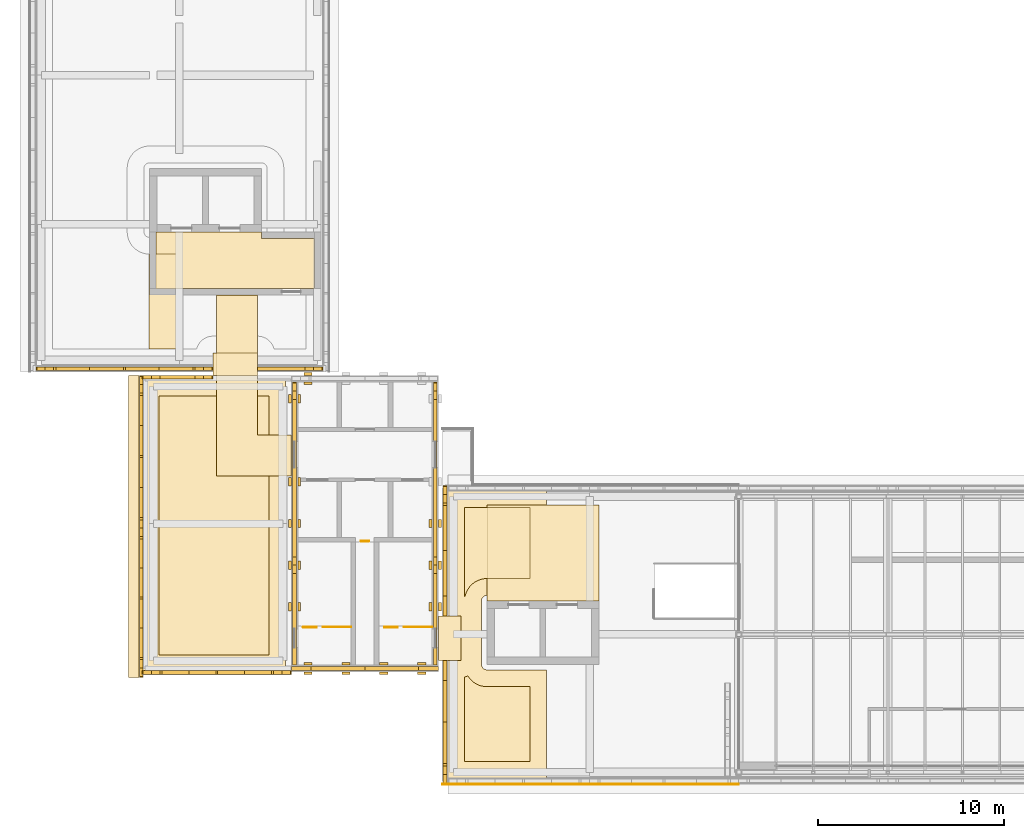
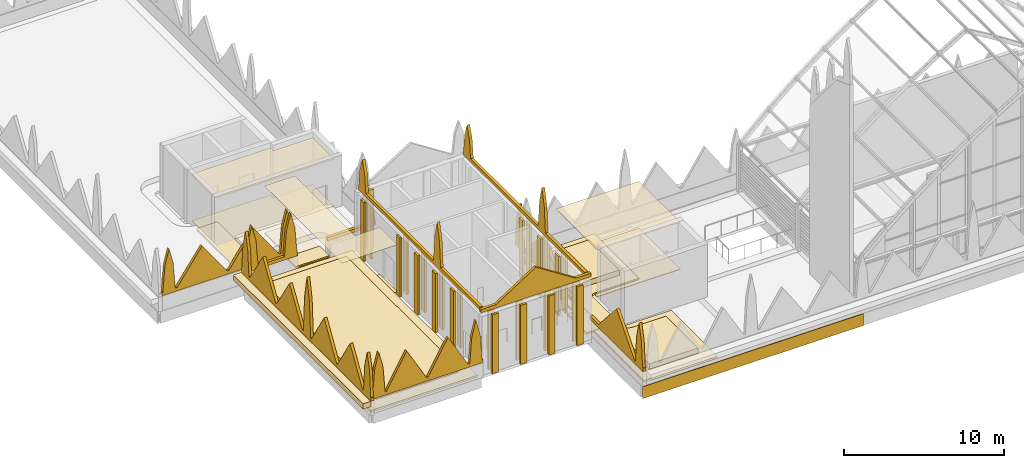
# One storey, part 14 of 18: 52 coverings, 5 railings.
"""IFC4 building model written with IfcOpenShell, lengths in metres."""

from ifc_helpers import new_model, si_unit, direction, frame, frame_2d, origin, origin_2d, place, context, subcontext, project, spatial, polyline, rectangle, circle, outline, extrude, material, layer, layer_set, type_object, element, save


model = new_model("IFC4")

# Units and contexts
model_context = context("Model", 3, precision=1e-05, world=origin(), true_north=direction((0.0, 1.0)))
body_context = subcontext(model_context, "Body", "Model", "MODEL_VIEW")
ifc_project = project(units=[si_unit("LENGTHUNIT", "METRE"), si_unit("AREAUNIT", "SQUARE_METRE"), si_unit("VOLUMEUNIT", "CUBIC_METRE"), si_unit("PLANEANGLEUNIT", "RADIAN"), si_unit("MASSUNIT", "GRAM", prefix="KILO")], contexts=[model_context])

# Site, building, storey
site_placement = place(None, origin())
site = spatial("IfcSite", under=ifc_project, at=site_placement, CompositionType="ELEMENT")
building_placement = place(site_placement, origin())
building = spatial("IfcBuilding", under=site, at=building_placement, Name="Lantern Court Media Centre", CompositionType="ELEMENT")
storey_placement = place(building_placement, frame((0.0, 0.0, 33.60009765625)))
storey = spatial("IfcBuildingStorey", under=building, at=storey_placement, Name="R00", CompositionType="ELEMENT", Elevation=33.60009765625)

# Railings
ifc_material_1 = material(Name="Powder-coated steel", Category="steel")
railing_type_1 = type_object("IfcRailingType", Name="Floor edge guard 1100", PredefinedType="GUARDRAIL", material=ifc_material_1)
railing_1_placement = place(storey_placement, frame((17.353759765625, 50.390380859375, 0.0)))
element("IfcRailing", 1, at=railing_1_placement, inside=storey, type_object=railing_type_1, Name="R00 opening guard 168", PredefinedType="GUARDRAIL", context=body_context, shape_type="SweptSolid", body=[
    extrude(circle(Radius=0.02392578125, at=origin_2d()), frame((0.0, 0.0, 1.076171875), z_axis=(-1.0, 0.0, 0.0), x_axis=(0.0, -1.0, 0.0)), (0.0, 0.0, 1.0), 0.703857421875),
    extrude(circle(Radius=0.02099609375, at=origin_2d()), origin(), (0.0, 0.0, 1.0), 1.052001953125),
    extrude(circle(Radius=0.02099609375, at=origin_2d()), frame((-0.703857421875, 0.0, 0.0)), (0.0, 0.0, 1.0), 1.052001953125),
])
railing_2_placement = place(storey_placement, frame((21.70361328125, 50.390380859375, 0.0)))
element("IfcRailing", 2, at=railing_2_placement, inside=storey, type_object=railing_type_1, Name="R00 opening guard 169", PredefinedType="GUARDRAIL", context=body_context, shape_type="SweptSolid", body=[
    extrude(circle(Radius=0.02392578125, at=origin_2d()), frame((0.0, 0.0, 1.076171875), z_axis=(-1.0, 0.0, 0.0), x_axis=(0.0, -1.0, 0.0)), (0.0, 0.0, 1.0), 0.70361328125),
    extrude(circle(Radius=0.02099609375, at=origin_2d()), origin(), (0.0, 0.0, 1.0), 1.052001953125),
    extrude(circle(Radius=0.02099609375, at=origin_2d()), frame((-0.70361328125, 0.0, 0.0)), (0.0, 0.0, 1.0), 1.052001953125),
])
railing_3_placement = place(storey_placement, frame((20.14990234375, 55.010009765625, 0.0)))
element("IfcRailing", 3, at=railing_3_placement, inside=storey, type_object=railing_type_1, Name="R00 opening guard 170", PredefinedType="GUARDRAIL", context=body_context, shape_type="SweptSolid", body=[
    extrude(circle(Radius=0.02392578125, at=origin_2d()), frame((0.0, 0.0, 1.076171875), z_axis=(-1.0, 0.0, 0.0), x_axis=(0.0, -1.0, 0.0)), (0.0, 0.0, 1.0), 0.39990234375),
    extrude(circle(Radius=0.02099609375, at=origin_2d()), origin(), (0.0, 0.0, 1.0), 1.052001953125),
    extrude(circle(Radius=0.02099609375, at=origin_2d()), frame((-0.39990234375, 0.0, 0.0)), (0.0, 0.0, 1.0), 1.052001953125),
])

# Coverings
ifc_material_2 = material(Name="White glass-fibre reinforced cement cladding", Category="concrete")
ifc_layer_1 = layer(ifc_material_2, 0.050048828125)
ifc_layer_set_1 = layer_set([ifc_layer_1], Name="White glass-fibre reinforced cement cladding")
covering_type_1 = type_object("IfcCoveringType", Name="Floor-edge band 50", PredefinedType="CLADDING", material=ifc_layer_set_1)
covering_1_placement = place(storey_placement, frame((24.10009765625, 41.97509765625, -0.900146484375), z_axis=(0.0, 0.0, 1.0), x_axis=(1.0, 0.0, 0.0)))
element("IfcCovering", 4, at=covering_1_placement, inside=storey, type_object=covering_type_1, Name="Floor-edge band S outer roof", PredefinedType="CLADDING", context=body_context, shape_type="SweptSolid", body=[
    extrude(rectangle(XDim=15.89990234375, YDim=0.050048828125, at=frame_2d((7.949951171875, 0.0))), origin(), (0.0, 0.0, 1.0), 0.900146484375),
])
ifc_material_3 = material(Name="Honed limestone cladding on blockwork", Category="masonry")
ifc_layer_2 = layer(ifc_material_3, 0.550048828125)
ifc_layer_set_2 = layer_set([ifc_layer_2], Name="Honed limestone cladding on blockwork")
covering_type_2 = type_object("IfcCoveringType", Name="Limestone cornice 550", PredefinedType="CLADDING", material=ifc_layer_set_2)
covering_2_placement = place(storey_placement, frame((7.554931640625, 47.699951171875, 0.699951171875), z_axis=(0.0, 0.0, 1.0), x_axis=(0.0, 1.0, 0.0)))
element("IfcCovering", 5, at=covering_2_placement, inside=storey, type_object=covering_type_2, Name="Attic cornice", PredefinedType="CLADDING", context=body_context, shape_type="SweptSolid", body=[
    extrude(rectangle(XDim=16.199951171875, YDim=0.550048828125, at=frame_2d((8.10009765625, 0.0))), origin(), (0.0, 0.0, 1.0), 0.39990234375),
])
ifc_layer_3 = layer(ifc_material_3, 0.199951171875)
ifc_layer_set_3 = layer_set([ifc_layer_3], Name="Honed limestone cladding on blockwork")
covering_type_3 = type_object("IfcCoveringType", Name="Limestone cresting 200", PredefinedType="CLADDING", material=ifc_layer_set_3)
covering_3_placement = place(storey_placement, frame((7.955078125, 47.699951171875, 1.099853515625), z_axis=(0.0, 0.0, 1.0), x_axis=(0.0, 1.0, 0.0)))
element("IfcCovering", 6, at=covering_3_placement, inside=storey, type_object=covering_type_3, Name="Parapet cresting", PredefinedType="CLADDING", context=body_context, shape_type="SweptSolid", body=[
    extrude(outline(polyline([(0.0, 0.0), (16.199951171875, 0.0), (16.199951171875, 0.25), (16.14990234375, 0.25), (16.0, 2.2099609375), (15.699951171875, 3.400146484375), (15.39990234375, 2.2099609375), (15.25, 0.25), (15.1298828125, 0.25), (13.514892578125, 2.800048828125), (11.89990234375, 0.25), (11.800048828125, 0.25), (10.18505859375, 2.800048828125), (8.570068359375, 0.25), (8.449951171875, 0.25), (8.300048828125, 2.983642578125), (8.0, 4.590087890625), (7.699951171875, 2.983642578125), (7.550048828125, 0.25), (7.429931640625, 0.25), (5.864990234375, 2.800048828125), (4.300048828125, 0.25), (4.199951171875, 0.25), (2.635009765625, 2.800048828125), (1.070068359375, 0.25), (0.949951171875, 0.25), (0.800048828125, 2.2099609375), (0.5, 3.400146484375), (0.199951171875, 2.2099609375), (0.050048828125, 0.25), (0.0, 0.25), (0.0, 0.0)])), frame((0.0, 0.10009765625, 0.0), z_axis=(0.0, -1.0, 0.0), x_axis=(1.0, 0.0, 0.0)), (0.0, 0.0, 1.0), 0.199951171875),
])
covering_4_placement = place(storey_placement, frame((8.0, 47.955078125, 1.099853515625), z_axis=(0.0, 0.0, 1.0), x_axis=(1.0, 0.0, 0.0)))
element("IfcCovering", 7, at=covering_4_placement, inside=storey, type_object=covering_type_3, Name="Parapet cresting", PredefinedType="CLADDING", context=body_context, shape_type="SweptSolid", body=[
    extrude(outline(polyline([(0.0, 0.0), (8.0, 0.0), (8.0, 0.25), (7.949951171875, 0.25), (7.800048828125, 2.2099609375), (7.5, 3.400146484375), (7.199951171875, 2.2099609375), (7.050048828125, 0.25), (6.929931640625, 0.25), (5.489990234375, 2.800048828125), (4.050048828125, 0.25), (3.949951171875, 0.25), (2.510009765625, 2.800048828125), (1.070068359375, 0.25), (0.949951171875, 0.25), (0.800048828125, 2.2099609375), (0.5, 3.400146484375), (0.199951171875, 2.2099609375), (0.050048828125, 0.25), (0.0, 0.25), (0.0, 0.0)])), frame((0.0, 0.10009765625, 0.0), z_axis=(0.0, -1.0, 0.0), x_axis=(1.0, 0.0, 0.0)), (0.0, 0.0, 1.0), 0.199951171875),
])
covering_5_placement = place(storey_placement, frame((24.25, 42.0, 1.099853515625), z_axis=(0.0, 0.0, 1.0), x_axis=(0.0, 1.0, 0.0)))
element("IfcCovering", 8, at=covering_5_placement, inside=storey, type_object=covering_type_3, Name="Parapet cresting", PredefinedType="CLADDING", context=body_context, shape_type="SweptSolid", body=[
    extrude(outline(polyline([(0.0, 0.0), (6.60009765625, 0.0), (6.60009765625, 0.25), (5.530029296875, 0.25), (3.300048828125, 2.800048828125), (1.070068359375, 0.25), (0.949951171875, 0.25), (0.800048828125, 2.2099609375), (0.5, 3.400146484375), (0.199951171875, 2.2099609375), (0.050048828125, 0.25), (0.0, 0.25), (0.0, 0.0)])), frame((0.0, 0.10009765625, 0.0), z_axis=(0.0, -1.0, 0.0), x_axis=(1.0, 0.0, 0.0)), (0.0, 0.0, 1.0), 0.199951171875),
])
covering_6_placement = place(storey_placement, frame((24.25, 51.0, 1.099853515625), z_axis=(0.0, 0.0, 1.0), x_axis=(0.0, 1.0, 0.0)))
element("IfcCovering", 9, at=covering_6_placement, inside=storey, type_object=covering_type_3, Name="Parapet cresting", PredefinedType="CLADDING", context=body_context, shape_type="SweptSolid", body=[
    extrude(outline(polyline([(0.0, 0.0), (7.0, 0.0), (7.0, 0.25), (6.949951171875, 0.25), (6.800048828125, 2.2099609375), (6.5, 3.400146484375), (6.199951171875, 2.2099609375), (6.050048828125, 0.25), (5.929931640625, 0.25), (3.5, 2.800048828125), (1.070068359375, 0.25), (0.0, 0.25), (0.0, 0.0)])), frame((0.0, 0.10009765625, 0.0), z_axis=(0.0, -1.0, 0.0), x_axis=(1.0, 0.0, 0.0)), (0.0, 0.0, 1.0), 0.199951171875),
])
covering_7_placement = place(storey_placement, frame((2.300048828125, 64.25, 1.099853515625), z_axis=(0.0, 0.0, 1.0), x_axis=(1.0, 0.0, 0.0)))
element("IfcCovering", 10, at=covering_7_placement, inside=storey, type_object=covering_type_3, Name="Parapet cresting", PredefinedType="CLADDING", context=body_context, shape_type="SweptSolid", body=[
    extrude(outline(polyline([(0.0, 0.0), (9.5, 0.0), (9.5, 0.25), (9.449951171875, 0.25), (9.300048828125, 2.2099609375), (9.0, 3.400146484375), (8.699951171875, 2.2099609375), (8.550048828125, 0.25), (8.429931640625, 0.25), (6.614990234375, 2.800048828125), (4.800048828125, 0.25), (4.699951171875, 0.25), (2.885009765625, 2.800048828125), (1.070068359375, 0.25), (0.949951171875, 0.25), (0.800048828125, 2.2099609375), (0.5, 3.400146484375), (0.199951171875, 2.2099609375), (0.050048828125, 0.25), (0.0, 0.25), (0.0, 0.0)])), frame((0.0, 0.10009765625, 0.0), z_axis=(0.0, -1.0, 0.0), x_axis=(1.0, 0.0, 0.0)), (0.0, 0.0, 1.0), 0.199951171875),
])
covering_8_placement = place(storey_placement, frame((14.199951171875, 64.25, 1.099853515625), z_axis=(0.0, 0.0, 1.0), x_axis=(1.0, 0.0, 0.0)))
element("IfcCovering", 11, at=covering_8_placement, inside=storey, type_object=covering_type_3, Name="Parapet cresting", PredefinedType="CLADDING", context=body_context, shape_type="SweptSolid", body=[
    extrude(outline(polyline([(0.0, 0.0), (3.5, 0.0), (3.5, 0.25), (3.449951171875, 0.25), (3.300048828125, 2.2099609375), (3.0, 3.400146484375), (2.699951171875, 2.2099609375), (2.550048828125, 0.25), (0.0, 0.25), (0.0, 0.0)])), frame((0.0, 0.10009765625, 0.0), z_axis=(0.0, -1.0, 0.0), x_axis=(1.0, 0.0, 0.0)), (0.0, 0.0, 1.0), 0.199951171875),
])
covering_9_placement = place(storey_placement, frame((8.0, 63.800048828125, 1.099853515625), z_axis=(0.0, 0.0, 1.0), x_axis=(1.0, 0.0, 0.0)))
element("IfcCovering", 12, at=covering_9_placement, inside=storey, type_object=covering_type_3, Name="Parapet cresting", PredefinedType="CLADDING", context=body_context, shape_type="SweptSolid", body=[
    extrude(outline(polyline([(0.0, 0.0), (3.800048828125, 0.0), (3.800048828125, 0.25), (3.75, 0.25), (3.60009765625, 2.2099609375), (3.300048828125, 3.400146484375), (3.0, 2.2099609375), (2.85009765625, 0.25), (0.949951171875, 0.25), (0.800048828125, 2.2099609375), (0.5, 3.400146484375), (0.199951171875, 2.2099609375), (0.050048828125, 0.25), (0.0, 0.25), (0.0, 0.0)])), frame((0.0, 0.10009765625, 0.0), z_axis=(0.0, -1.0, 0.0), x_axis=(1.0, 0.0, 0.0)), (0.0, 0.0, 1.0), 0.199951171875),
])
covering_10_placement = place(storey_placement, frame((16.0, 48.175048828125, 4.75), z_axis=(0.0, 0.0, 1.0), x_axis=(1.0, 0.0, 0.0)))
element("IfcCovering", 13, at=covering_10_placement, inside=storey, type_object=covering_type_3, Name="Roof box cresting", PredefinedType="CLADDING", context=body_context, shape_type="SweptSolid", body=[
    extrude(outline(polyline([(0.0, 0.0), (7.89990234375, 0.0), (7.89990234375, 0.25), (6.830078125, 0.25), (3.949951171875, 2.099853515625), (1.070068359375, 0.25), (0.0, 0.25), (0.0, 0.0)])), frame((0.0, 0.10009765625, 0.0), z_axis=(0.0, -1.0, 0.0), x_axis=(1.0, 0.0, 0.0)), (0.0, 0.0, 1.0), 0.199951171875),
])
for number, where, z_axis, x_axis, name in (
    (14, (16.175048828125, 48.35009765625, 4.75), (0.0, 0.0, 1.0), (0.0, 1.0, 0.0), "Roof box cresting"),
    (15, (23.72509765625, 48.35009765625, 4.75), (0.0, 0.0, 1.0), (0.0, 1.0, 0.0), "Roof box cresting"),
):
    element("IfcCovering", number, at=place(storey_placement, frame(where, z_axis=z_axis, x_axis=x_axis)), inside=storey, type_object=covering_type_3, Name=name, PredefinedType="CLADDING", context=body_context, shape_type="SweptSolid", body=[
        extrude(outline(polyline([(0.0, 0.0), (15.199951171875, 0.0), (15.199951171875, 0.25), (15.14990234375, 0.25), (15.0, 1.657470703125), (14.699951171875, 2.5498046875), (14.39990234375, 1.657470703125), (14.25, 0.25), (5.816650390625, 0.25), (5.666748046875, 2.237548828125), (5.36669921875, 3.4423828125), (5.066650390625, 2.237548828125), (4.916748046875, 0.25), (0.0, 0.25), (0.0, 0.0)])), frame((0.0, 0.10009765625, 0.0), z_axis=(0.0, -1.0, 0.0), x_axis=(1.0, 0.0, 0.0)), (0.0, 0.0, 1.0), 0.199951171875),
    ])
ifc_material_4 = material(Name="Honed limestone cladding", Category="masonry")
ifc_layer_4 = layer(ifc_material_4, 0.14990234375)
ifc_layer_set_4 = layer_set([ifc_layer_4], Name="Honed limestone cladding")
covering_type_4 = type_object("IfcCoveringType", Name="Limestone pilaster cladding 150", PredefinedType="CLADDING", material=ifc_layer_set_4)
covering_11_placement = place(storey_placement, frame((16.675048828125, 48.425048828125, 0.0), z_axis=(0.0, 0.0, 1.0), x_axis=(1.0, 0.0, 0.0)))
element("IfcCovering", 16, at=covering_11_placement, inside=storey, type_object=covering_type_4, Name="Limestone pilaster rib", PredefinedType="CLADDING", context=body_context, shape_type="SweptSolid", body=[
    extrude(rectangle(XDim=0.449951171875, YDim=0.14990234375, at=frame_2d((0.22509765625, 0.0))), origin(), (0.0, 0.0, 1.0), 4.5),
])
covering_12_placement = place(storey_placement, frame((18.708251953125, 48.425048828125, 0.0), z_axis=(0.0, 0.0, 1.0), x_axis=(1.0, 0.0, 0.0)))
element("IfcCovering", 17, at=covering_12_placement, inside=storey, type_object=covering_type_4, Name="Limestone pilaster rib", PredefinedType="CLADDING", context=body_context, shape_type="SweptSolid", body=[
    extrude(rectangle(XDim=0.4501953125, YDim=0.14990234375, at=frame_2d((0.22509765625, 0.0))), origin(), (0.0, 0.0, 1.0), 4.5),
])
covering_13_placement = place(storey_placement, frame((20.74169921875, 48.425048828125, 0.0), z_axis=(0.0, 0.0, 1.0), x_axis=(1.0, 0.0, 0.0)))
element("IfcCovering", 18, at=covering_13_placement, inside=storey, type_object=covering_type_4, Name="Limestone pilaster rib", PredefinedType="CLADDING", context=body_context, shape_type="SweptSolid", body=[
    extrude(rectangle(XDim=0.449951171875, YDim=0.14990234375, at=frame_2d((0.22509765625, 0.0))), origin(), (0.0, 0.0, 1.0), 4.5),
])
covering_14_placement = place(storey_placement, frame((22.77490234375, 48.425048828125, 0.0), z_axis=(0.0, 0.0, 1.0), x_axis=(1.0, 0.0, 0.0)))
element("IfcCovering", 19, at=covering_14_placement, inside=storey, type_object=covering_type_4, Name="Limestone pilaster rib", PredefinedType="CLADDING", context=body_context, shape_type="SweptSolid", body=[
    extrude(rectangle(XDim=0.4501953125, YDim=0.14990234375, at=frame_2d((0.22509765625, 0.0))), origin(), (0.0, 0.0, 1.0), 4.5),
])
covering_15_placement = place(storey_placement, frame((16.675048828125, 47.925048828125, 0.0), z_axis=(0.0, 0.0, 1.0), x_axis=(1.0, 0.0, 0.0)))
element("IfcCovering", 20, at=covering_15_placement, inside=storey, type_object=covering_type_4, Name="Limestone pilaster rib", PredefinedType="CLADDING", context=body_context, shape_type="SweptSolid", body=[
    extrude(rectangle(XDim=0.449951171875, YDim=0.14990234375, at=frame_2d((0.22509765625, 0.0))), origin(), (0.0, 0.0, 1.0), 4.5),
])
covering_16_placement = place(storey_placement, frame((18.708251953125, 47.925048828125, 0.0), z_axis=(0.0, 0.0, 1.0), x_axis=(1.0, 0.0, 0.0)))
element("IfcCovering", 21, at=covering_16_placement, inside=storey, type_object=covering_type_4, Name="Limestone pilaster rib", PredefinedType="CLADDING", context=body_context, shape_type="SweptSolid", body=[
    extrude(rectangle(XDim=0.4501953125, YDim=0.14990234375, at=frame_2d((0.22509765625, 0.0))), origin(), (0.0, 0.0, 1.0), 4.5),
])
covering_17_placement = place(storey_placement, frame((20.74169921875, 47.925048828125, 0.0), z_axis=(0.0, 0.0, 1.0), x_axis=(1.0, 0.0, 0.0)))
element("IfcCovering", 22, at=covering_17_placement, inside=storey, type_object=covering_type_4, Name="Limestone pilaster rib", PredefinedType="CLADDING", context=body_context, shape_type="SweptSolid", body=[
    extrude(rectangle(XDim=0.449951171875, YDim=0.14990234375, at=frame_2d((0.22509765625, 0.0))), origin(), (0.0, 0.0, 1.0), 4.5),
])
covering_18_placement = place(storey_placement, frame((22.77490234375, 47.925048828125, 0.0), z_axis=(0.0, 0.0, 1.0), x_axis=(1.0, 0.0, 0.0)))
element("IfcCovering", 23, at=covering_18_placement, inside=storey, type_object=covering_type_4, Name="Limestone pilaster rib", PredefinedType="CLADDING", context=body_context, shape_type="SweptSolid", body=[
    extrude(rectangle(XDim=0.4501953125, YDim=0.14990234375, at=frame_2d((0.22509765625, 0.0))), origin(), (0.0, 0.0, 1.0), 4.5),
])
for number, where, z_axis, x_axis, name in (
    (24, (15.925048828125, 51.25830078125, 0.0), (0.0, 0.0, 1.0), (0.0, 1.0, 0.0), "Limestone pilaster rib"),
    (25, (15.925048828125, 53.49169921875, 0.0), (0.0, 0.0, 1.0), (0.0, 1.0, 0.0), "Limestone pilaster rib"),
    (26, (15.925048828125, 55.72509765625, 0.0), (0.0, 0.0, 1.0), (0.0, 1.0, 0.0), "Limestone pilaster rib"),
):
    element("IfcCovering", number, at=place(storey_placement, frame(where, z_axis=z_axis, x_axis=x_axis)), inside=storey, type_object=covering_type_4, Name=name, PredefinedType="CLADDING", context=body_context, shape_type="SweptSolid", body=[
        extrude(rectangle(XDim=0.449951171875, YDim=0.14990234375, at=frame_2d((0.22509765625, 0.0))), origin(), (0.0, 0.0, 1.0), 4.5),
    ])
covering_19_placement = place(storey_placement, frame((15.925048828125, 57.958251953125, 0.0), z_axis=(0.0, 0.0, 1.0), x_axis=(0.0, 1.0, 0.0)))
element("IfcCovering", 27, at=covering_19_placement, inside=storey, type_object=covering_type_4, Name="Limestone pilaster rib", PredefinedType="CLADDING", context=body_context, shape_type="SweptSolid", body=[
    extrude(rectangle(XDim=0.4501953125, YDim=0.14990234375, at=frame_2d((0.22509765625, 0.0))), origin(), (0.0, 0.0, 1.0), 4.5),
])
for number, where, z_axis, x_axis, name in (
    (28, (15.925048828125, 62.425048828125, 0.0), (0.0, 0.0, 1.0), (0.0, 1.0, 0.0), "Limestone pilaster rib"),
    (29, (16.425048828125, 51.25830078125, 0.0), (0.0, 0.0, 1.0), (0.0, 1.0, 0.0), "Limestone pilaster rib"),
    (30, (16.425048828125, 53.49169921875, 0.0), (0.0, 0.0, 1.0), (0.0, 1.0, 0.0), "Limestone pilaster rib"),
    (31, (16.425048828125, 55.72509765625, 0.0), (0.0, 0.0, 1.0), (0.0, 1.0, 0.0), "Limestone pilaster rib"),
):
    element("IfcCovering", number, at=place(storey_placement, frame(where, z_axis=z_axis, x_axis=x_axis)), inside=storey, type_object=covering_type_4, Name=name, PredefinedType="CLADDING", context=body_context, shape_type="SweptSolid", body=[
        extrude(rectangle(XDim=0.449951171875, YDim=0.14990234375, at=frame_2d((0.22509765625, 0.0))), origin(), (0.0, 0.0, 1.0), 4.5),
    ])
covering_20_placement = place(storey_placement, frame((16.425048828125, 57.958251953125, 0.0), z_axis=(0.0, 0.0, 1.0), x_axis=(0.0, 1.0, 0.0)))
element("IfcCovering", 32, at=covering_20_placement, inside=storey, type_object=covering_type_4, Name="Limestone pilaster rib", PredefinedType="CLADDING", context=body_context, shape_type="SweptSolid", body=[
    extrude(rectangle(XDim=0.4501953125, YDim=0.14990234375, at=frame_2d((0.22509765625, 0.0))), origin(), (0.0, 0.0, 1.0), 4.5),
])
for number, where, z_axis, x_axis, name in (
    (33, (16.425048828125, 62.425048828125, 0.0), (0.0, 0.0, 1.0), (0.0, 1.0, 0.0), "Limestone pilaster rib"),
    (34, (23.47509765625, 51.25830078125, 0.0), (0.0, 0.0, 1.0), (0.0, 1.0, 0.0), "Limestone pilaster rib"),
    (35, (23.47509765625, 53.49169921875, 0.0), (0.0, 0.0, 1.0), (0.0, 1.0, 0.0), "Limestone pilaster rib"),
    (36, (23.47509765625, 55.72509765625, 0.0), (0.0, 0.0, 1.0), (0.0, 1.0, 0.0), "Limestone pilaster rib"),
    (37, (23.97509765625, 51.25830078125, 0.0), (0.0, 0.0, 1.0), (0.0, 1.0, 0.0), "Limestone pilaster rib"),
    (38, (23.97509765625, 53.49169921875, 0.0), (0.0, 0.0, 1.0), (0.0, 1.0, 0.0), "Limestone pilaster rib"),
    (39, (23.97509765625, 55.72509765625, 0.0), (0.0, 0.0, 1.0), (0.0, 1.0, 0.0), "Limestone pilaster rib"),
    (40, (16.675048828125, 63.97509765625, 0.0), (0.0, 0.0, 1.0), (1.0, 0.0, 0.0), "Limestone pilaster rib"),
    (41, (16.675048828125, 63.47509765625, 0.0), (0.0, 0.0, 1.0), (1.0, 0.0, 0.0), "Limestone pilaster rib"),
):
    element("IfcCovering", number, at=place(storey_placement, frame(where, z_axis=z_axis, x_axis=x_axis)), inside=storey, type_object=covering_type_4, Name=name, PredefinedType="CLADDING", context=body_context, shape_type="SweptSolid", body=[
        extrude(rectangle(XDim=0.449951171875, YDim=0.14990234375, at=frame_2d((0.22509765625, 0.0))), origin(), (0.0, 0.0, 1.0), 4.5),
    ])
ifc_material_5 = material(Name="Planting substrate")
ifc_layer_5 = layer(ifc_material_5, 0.39990234375)
ifc_layer_set_5 = layer_set([ifc_layer_5], Name="Planting substrate")
covering_type_5 = type_object("IfcCoveringType", Name="Planted roof garden build-up 400", PredefinedType="ROOFING", material=ifc_layer_set_5)
covering_21_placement = place(storey_placement, frame((0.0, 0.0, 0.14990234375)))
element("IfcCovering", 42, at=covering_21_placement, inside=storey, type_object=covering_type_5, Name="Planted roof garden S", PredefinedType="ROOFING", context=body_context, shape_type="SweptSolid", body=[
    extrude(outline(polyline([(25.470947265625, 47.781005859375), (25.528076171875, 47.697021484375), (25.544921875, 47.674072265625), (25.60107421875, 47.60498046875), (25.62109375, 47.5830078125), (25.68310546875, 47.52099609375), (25.705078125, 47.5009765625), (25.77392578125, 47.445068359375), (25.797119140625, 47.427978515625), (25.87109375, 47.37890625), (25.89599609375, 47.363037109375), (25.97412109375, 47.322021484375), (26.0, 47.30908203125), (26.08203125, 47.27490234375), (26.110107421875, 47.26611328125), (26.194091796875, 47.239990234375), (26.222900390625, 47.23291015625), (26.30908203125, 47.216064453125), (26.339111328125, 47.2109375), (26.426025390625, 47.202880859375), (26.4560546875, 47.200927734375), (26.5, 47.199951171875), (28.800048828125, 47.199951171875), (28.800048828125, 43.199951171875), (25.300048828125, 43.199951171875), (25.300048828125, 47.722900390625), (25.361083984375, 47.739013671875), (25.444091796875, 47.76904296875), (25.470947265625, 47.781005859375)])), origin(), (0.0, 0.0, 1.0), 0.39990234375),
])
covering_22_placement = place(storey_placement, frame((0.0, 0.0, 0.14990234375)))
element("IfcCovering", 43, at=covering_22_placement, inside=storey, type_object=covering_type_5, Name="Planted roof garden S", PredefinedType="ROOFING", context=body_context, shape_type="SweptSolid", body=[
    extrude(outline(polyline([(28.800048828125, 56.800048828125), (28.800048828125, 53.0), (26.5, 53.0), (26.4560546875, 52.9990234375), (26.426025390625, 52.9970703125), (26.339111328125, 52.989013671875), (26.30908203125, 52.98388671875), (26.222900390625, 52.967041015625), (26.194091796875, 52.9599609375), (26.110107421875, 52.93408203125), (26.08203125, 52.925048828125), (26.0, 52.89111328125), (25.97412109375, 52.8779296875), (25.89599609375, 52.8369140625), (25.87109375, 52.821044921875), (25.797119140625, 52.77197265625), (25.77392578125, 52.7548828125), (25.705078125, 52.698974609375), (25.68310546875, 52.678955078125), (25.62109375, 52.616943359375), (25.60107421875, 52.594970703125), (25.544921875, 52.52587890625), (25.528076171875, 52.5029296875), (25.47900390625, 52.428955078125), (25.462890625, 52.404052734375), (25.422119140625, 52.325927734375), (25.408935546875, 52.300048828125), (25.375, 52.218017578125), (25.365966796875, 52.18994140625), (25.31591796875, 52.027099609375), (25.300048828125, 52.029052734375), (25.300048828125, 56.800048828125), (28.800048828125, 56.800048828125)])), origin(), (0.0, 0.0, 1.0), 0.39990234375),
])
covering_23_placement = place(storey_placement, frame((0.0, 0.0, 0.14990234375)))
element("IfcCovering", 44, at=covering_23_placement, inside=storey, type_object=covering_type_5, Name="Planted roof garden SW", PredefinedType="ROOFING", context=body_context, shape_type="SweptSolid", body=[
    extrude(outline(polyline([(14.800048828125, 62.800048828125), (14.800048828125, 48.89990234375), (8.89990234375, 48.89990234375), (8.89990234375, 62.800048828125), (14.800048828125, 62.800048828125)])), origin(), (0.0, 0.0, 1.0), 0.39990234375),
])
ifc_material_6 = material(Name="Limestone paving slab", Category="masonry")
ifc_layer_6 = layer(ifc_material_6, 0.14990234375)
ifc_layer_set_6 = layer_set([ifc_layer_6], Name="Limestone paving slab")
covering_type_6 = type_object("IfcCoveringType", Name="Roof walkway pavers 150", PredefinedType="FLOORING", material=ifc_layer_set_6)
covering_24_placement = place(storey_placement, origin())
element("IfcCovering", 45, at=covering_24_placement, inside=storey, type_object=covering_type_6, Name="Roof walkway S-SW", PredefinedType="FLOORING", context=body_context, shape_type="SweptSolid", body=[
    extrude(outline(polyline([(23.89990234375, 48.60009765625), (23.89990234375, 51.0), (25.10009765625, 51.0), (25.10009765625, 48.60009765625), (23.89990234375, 48.60009765625)])), origin(), (0.0, 0.0, 1.0), 0.14990234375),
])
covering_25_placement = place(storey_placement, frame((0.0, 0.0, 0.14990234375)))
element("IfcCovering", 46, at=covering_25_placement, inside=storey, type_object=covering_type_6, Name="Roof garden path W", PredefinedType="FLOORING", context=body_context, shape_type="SweptSolid", body=[
    extrude(outline(polyline([(8.39990234375, 70.39990234375), (9.87890625, 70.39990234375), (9.87890625, 65.300048828125), (8.37890625, 65.300048828125), (8.37890625, 70.40087890625), (8.39990234375, 70.39990234375)])), origin(), (0.0, 0.0, 1.0), 0.14990234375),
])
covering_26_placement = place(storey_placement, origin())
element("IfcCovering", 47, at=covering_26_placement, inside=storey, type_object=covering_type_6, Name="Roof walkway W-SW", PredefinedType="FLOORING", context=body_context, shape_type="SweptSolid", body=[
    extrude(outline(polyline([(11.800048828125, 63.89990234375), (11.800048828125, 65.10009765625), (14.199951171875, 65.10009765625), (14.199951171875, 63.89990234375), (11.800048828125, 63.89990234375)])), origin(), (0.0, 0.0, 1.0), 0.14990234375),
])
ifc_material_7 = material(Name="Bituminous waterproofing membrane with insulation")
ifc_layer_7 = layer(ifc_material_7, 0.14990234375)
ifc_layer_set_7 = layer_set([ifc_layer_7], Name="Bituminous waterproofing membrane with insulation")
covering_type_7 = type_object("IfcCoveringType", Name="Roof waterproofing and insulation 150", PredefinedType="ROOFING", material=ifc_layer_set_7)
covering_27_placement = place(storey_placement, origin())
element("IfcCovering", 48, at=covering_27_placement, inside=storey, type_object=covering_type_7, Name="Roof waterproofing S", PredefinedType="ROOFING", context=body_context, shape_type="SweptSolid", body=[
    extrude(outline(polyline([(25.10009765625, 51.0), (24.39990234375, 51.0), (24.39990234375, 57.699951171875), (29.699951171875, 57.699951171875), (29.699951171875, 52.10009765625), (26.5, 52.10009765625), (26.470947265625, 52.09912109375), (26.44091796875, 52.093994140625), (26.4130859375, 52.0869140625), (26.385009765625, 52.076904296875), (26.35888671875, 52.06494140625), (26.3330078125, 52.049072265625), (26.31005859375, 52.031982421875), (26.2880859375, 52.011962890625), (26.26806640625, 51.989990234375), (26.2509765625, 51.967041015625), (26.235107421875, 51.94091796875), (26.222900390625, 51.9150390625), (26.212890625, 51.886962890625), (26.2060546875, 51.85888671875), (26.200927734375, 51.8291015625), (26.199951171875, 51.800048828125), (26.199951171875, 48.39990234375), (26.200927734375, 48.37109375), (26.2060546875, 48.341064453125), (26.212890625, 48.31298828125), (26.222900390625, 48.284912109375), (26.235107421875, 48.259033203125), (26.2509765625, 48.23291015625), (26.26806640625, 48.2099609375), (26.2880859375, 48.18798828125), (26.31005859375, 48.16796875), (26.3330078125, 48.15087890625), (26.35888671875, 48.135009765625), (26.385009765625, 48.123046875), (26.4130859375, 48.113037109375), (26.44091796875, 48.10595703125), (26.470947265625, 48.10107421875), (26.5, 48.10009765625), (29.699951171875, 48.10009765625), (29.699951171875, 42.300048828125), (24.39990234375, 42.300048828125), (24.39990234375, 48.60009765625), (25.10009765625, 48.60009765625), (25.10009765625, 51.0)])), origin(), (0.0, 0.0, 1.0), 0.14990234375),
])
covering_28_placement = place(storey_placement, origin())
element("IfcCovering", 49, at=covering_28_placement, inside=storey, type_object=covering_type_7, Name="Roof waterproofing SW", PredefinedType="ROOFING", context=body_context, shape_type="SweptSolid", body=[
    extrude(outline(polyline([(15.699951171875, 63.699951171875), (15.699951171875, 48.0), (8.0, 48.0), (8.0, 63.699951171875), (15.699951171875, 63.699951171875)])), origin(), (0.0, 0.0, 1.0), 0.14990234375),
])

# Railings
railing_type_2 = type_object("IfcRailingType", Name="Stair guard 1100", PredefinedType="GUARDRAIL", material=ifc_material_1)
for number, where, name in (
    (50, (19.199951171875, 50.39990234375, 0.0), "R00 ST-SWA top well guard 1"),
    (51, (23.550048828125, 50.39990234375, 0.0), "R00 ST-SWB top well guard 1"),
):
    element("IfcRailing", number, at=place(storey_placement, frame(where)), inside=storey, type_object=railing_type_2, Name=name, PredefinedType="GUARDRAIL", context=body_context, shape_type="SweptSolid", body=[
        extrude(circle(Radius=0.02392578125, at=origin_2d()), frame((0.0, 0.0, 1.076171875), z_axis=(-1.0, 0.0, 0.0), x_axis=(0.0, -1.0, 0.0)), (0.0, 0.0, 1.0), 1.5),
        extrude(circle(Radius=0.02099609375, at=origin_2d()), origin(), (0.0, 0.0, 1.0), 1.052001953125),
        extrude(circle(Radius=0.02099609375, at=origin_2d()), frame((-0.75, 0.0, 0.0)), (0.0, 0.0, 1.0), 1.052001953125),
        extrude(circle(Radius=0.02099609375, at=origin_2d()), frame((-1.5, 0.0, 0.0)), (0.0, 0.0, 1.0), 1.052001953125),
    ])

# Coverings
ifc_material_8 = material(Name="Mineral fibre ceiling tile")
ifc_layer_8 = layer(ifc_material_8, 0.02001953125)
ifc_layer_set_8 = layer_set([ifc_layer_8], Name="Mineral fibre ceiling tile")
covering_type_8 = type_object("IfcCoveringType", Name="Suspended ceiling tile", PredefinedType="CEILING", material=ifc_layer_set_8)
covering_29_placement = place(storey_placement, frame((0.0, 0.0, 3.599853515625)))
element("IfcCovering", 52, at=covering_29_placement, inside=storey, type_object=covering_type_8, Name="Roof Lift Vestibule ceiling", PredefinedType="CEILING", context=body_context, shape_type="SweptSolid", body=[
    extrude(outline(polyline([(26.5, 56.949951171875), (32.5, 56.949951171875), (32.5, 51.800537109375), (26.5, 51.800537109375), (26.5, 56.949951171875)])), origin(), (0.0, 0.0, 1.0), 0.02001953125),
])
covering_30_placement = place(storey_placement, frame((0.0, 0.0, 3.599853515625)))
element("IfcCovering", 53, at=covering_30_placement, inside=storey, type_object=covering_type_8, Name="Roof Lift Vestibule ceiling", PredefinedType="CEILING", context=body_context, shape_type="SweptSolid", body=[
    extrude(outline(polyline([(14.3994140625, 71.599609375), (14.39990234375, 71.24951171875), (17.24951171875, 71.24951171875), (17.24951171875, 68.550537109375), (8.75048828125, 68.550537109375), (8.75048828125, 71.599609375), (14.3994140625, 71.599609375)])), origin(), (0.0, 0.0, 1.0), 0.02001953125),
])
covering_31_placement = place(storey_placement, frame((0.0, 0.0, 3.599853515625)))
element("IfcCovering", 54, at=covering_31_placement, inside=storey, type_object=covering_type_8, Name="Roof Walkway West ceiling", PredefinedType="CEILING", context=body_context, shape_type="SweptSolid", body=[
    extrude(outline(polyline([(14.199951171875, 60.699951171875), (15.99951171875, 60.699951171875), (15.99951171875, 58.5), (12.0, 58.5), (12.0, 68.199462890625), (14.199951171875, 68.199462890625), (14.199951171875, 60.699951171875)])), origin(), (0.0, 0.0, 1.0), 0.02001953125),
])
ifc_material_9 = material(Name="Terrazzo")
ifc_layer_9 = layer(ifc_material_9, 0.050048828125)
ifc_layer_set_9 = layer_set([ifc_layer_9], Name="Terrazzo")
covering_type_9 = type_object("IfcCoveringType", Name="Terrazzo floor finish", PredefinedType="FLOORING", material=ifc_layer_set_9)
covering_32_placement = place(storey_placement, origin())
element("IfcCovering", 55, at=covering_32_placement, inside=storey, type_object=covering_type_9, Name="Roof Lift Vestibule floor finish", PredefinedType="FLOORING", context=body_context, shape_type="SweptSolid", body=[
    extrude(outline(polyline([(26.5, 56.949951171875), (32.5, 56.949951171875), (32.5, 51.804931640625), (26.5, 51.804931640625), (26.5, 56.949951171875)])), origin(), (0.0, 0.0, 1.0), 0.0498046875),
])
covering_33_placement = place(storey_placement, origin())
element("IfcCovering", 56, at=covering_33_placement, inside=storey, type_object=covering_type_9, Name="Roof Lift Vestibule floor finish", PredefinedType="FLOORING", context=body_context, shape_type="SweptSolid", body=[
    extrude(outline(polyline([(14.39501953125, 71.594970703125), (14.3994140625, 71.2451171875), (17.2451171875, 71.2451171875), (17.2451171875, 68.554931640625), (8.7548828125, 68.554931640625), (8.7548828125, 71.594970703125), (14.39501953125, 71.594970703125)])), origin(), (0.0, 0.0, 1.0), 0.0498046875),
])
covering_34_placement = place(storey_placement, origin())
element("IfcCovering", 57, at=covering_34_placement, inside=storey, type_object=covering_type_9, Name="Roof Walkway West floor finish", PredefinedType="FLOORING", context=body_context, shape_type="SweptSolid", body=[
    extrude(outline(polyline([(14.199951171875, 60.699951171875), (15.9951171875, 60.699951171875), (15.9951171875, 58.5), (12.0, 58.5), (12.0, 68.195068359375), (14.199951171875, 68.195068359375), (14.199951171875, 60.699951171875)])), origin(), (0.0, 0.0, 1.0), 0.0498046875),
])

save(model, "model.ifc")
